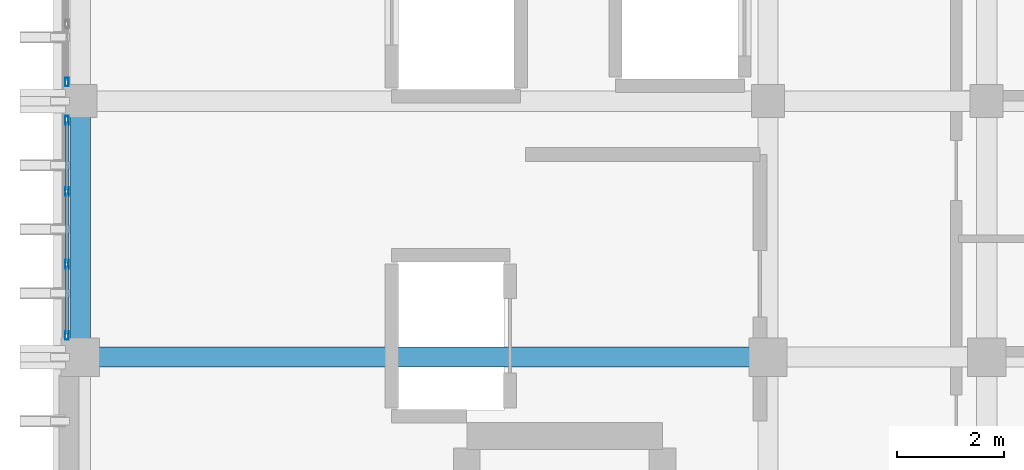
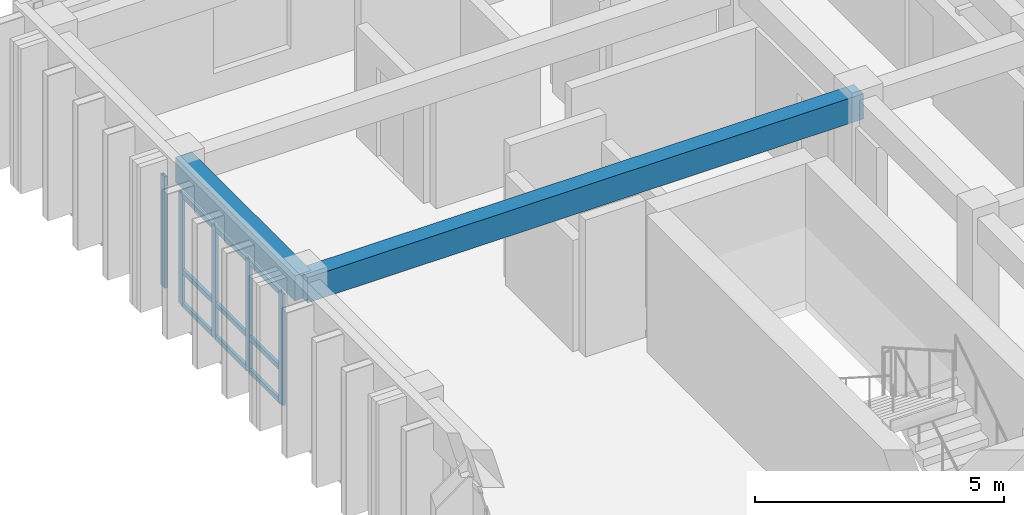
# One storey, part 36 of 59: 14 members, 2 beams, 2 elements without a shape of their own.
"""IFC4 building model written with IfcOpenShell, lengths in metres."""

from ifc_helpers import new_model, si_unit, direction, frame, origin, origin_2d, place, context, subcontext, project, spatial, rectangle, hollow_rectangle, extrude, material, layer, layer_set, material_profile, profile_set, type_object, element, aggregate, save


model = new_model("IFC4")

# Units and contexts
model_context = context("Model", 3, precision=1e-05, world=origin(), true_north=direction((0.0, 1.0)))
body_context = subcontext(model_context, "Body", "Model", "MODEL_VIEW")
ifc_project = project(units=[si_unit("LENGTHUNIT", "METRE"), si_unit("AREAUNIT", "SQUARE_METRE"), si_unit("VOLUMEUNIT", "CUBIC_METRE"), si_unit("PLANEANGLEUNIT", "RADIAN"), si_unit("MASSUNIT", "GRAM", prefix="KILO")], contexts=[model_context])

# Site, building, storey
site_placement = place(None, origin())
site = spatial("IfcSite", under=ifc_project, at=site_placement, CompositionType="ELEMENT")
building_placement = place(site_placement, origin())
building = spatial("IfcBuilding", under=site, at=building_placement, Name="Nakhvara Creek Congress Hotel", CompositionType="ELEMENT")
storey_placement = place(building_placement, frame((0.0, 0.0, 31.800048828125)))
storey = spatial("IfcBuildingStorey", under=building, at=storey_placement, Name="L07", CompositionType="ELEMENT", Elevation=31.800048828125)

# Beams
ifc_material_1 = material(Name="Concrete C40/50", Category="concrete")
ifc_material_profile_1 = material_profile(ifc_material_1, rectangle(XDim=0.3798828125, YDim=0.6201171875, at=origin_2d()), Name="RC-BM 380x620", Category="LoadBearing")
ifc_profile_set_1 = profile_set([ifc_material_profile_1], Name="Concrete C40/50")
beam_type = type_object("IfcBeamType", Name="BM-RC-380X620", PredefinedType="BEAM", material=ifc_profile_set_1)
beam_1_placement = place(storey_placement, frame((149.449951171875, 115.199951171875, 3.050048828125), z_axis=(1.0, 0.0, 0.0), x_axis=(0.0, 1.0, 0.0)))
element("IfcBeam", 1, at=beam_1_placement, inside=storey, type_object=beam_type, Name="Beam B10-L07-2336", PredefinedType="BEAM", context=body_context, shape_type="SweptSolid", body=[
    extrude(rectangle(XDim=0.3798828125, YDim=0.6201171875, at=origin_2d()), origin(), (0.0, 0.0, 1.0), 12.900146484375),
])
beam_2_placement = place(storey_placement, frame((149.449951171875, 115.199951171875, 3.050048828125), z_axis=(0.0, 1.0, 0.0), x_axis=(-1.0, 0.0, 0.0)))
element("IfcBeam", 2, at=beam_2_placement, inside=storey, type_object=beam_type, Name="Beam B10-L07-2338", PredefinedType="BEAM", context=body_context, shape_type="SweptSolid", body=[
    extrude(rectangle(XDim=0.3798828125, YDim=0.6201171875, at=origin_2d()), origin(), (0.0, 0.0, 1.0), 4.800048828125),
])

# Curtain wall, members
ifc_material_2 = material(Name="Bronze-anodised aluminium AW-6063-T6 and double-silver low-E glass", Category="aluminium")
ifc_layer = layer(ifc_material_2, 0.199951171875)
ifc_layer_set = layer_set([ifc_layer], Name="Bronze-anodised aluminium AW-6063-T6 and double-silver low-E glass")
curtain_wall_type = type_object("IfcCurtainWallType", Name="CW-HTL-UNIT", PredefinedType="USERDEFINED", material=ifc_layer_set)
curtain_wall_1_placement = place(storey_placement, origin())
curtain_wall_1 = element("IfcCurtainWall", 3, at=curtain_wall_1_placement, inside=storey, type_object=curtain_wall_type, Name="Curtain Wall CW272", ObjectType="UNITISED", PredefinedType="USERDEFINED")
ifc_material_3 = material(Name="Bronze-anodised aluminium AW-6063-T6", Category="aluminium")
ifc_material_profile_2 = material_profile(ifc_material_3, hollow_rectangle(XDim=0.06494140625, YDim=0.159912109375, WallThickness=0.00390625, at=origin_2d()), Name="ALU-MULL 65x160x4", Category="LoadBearing")
ifc_profile_set_2 = profile_set([ifc_material_profile_2], Name="Bronze-anodised aluminium AW-6063-T6")
member_type_1 = type_object("IfcMemberType", Name="CW-MULL-160", PredefinedType="MULLION", material=ifc_profile_set_2)
member_1_placement = place(storey_placement, frame((149.199951171875, 115.607421875, 0.0), z_axis=(0.0, 0.0, 1.0), x_axis=(-1.0, 0.0, 0.0)))
member_1 = element("IfcMember", 4, at=member_1_placement, type_object=member_type_1, Name="CW272 mullion 1", PredefinedType="MULLION", context=body_context, shape_type="SweptSolid", body=[
    extrude(hollow_rectangle(XDim=0.06494140625, YDim=0.159912109375, WallThickness=0.00390625, at=origin_2d()), origin(), (0.0, 0.0, 1.0), 2.73193359375),
])
member_2_placement = place(storey_placement, frame((149.199951171875, 116.941650390625, 0.0), z_axis=(0.0, 0.0, 1.0), x_axis=(-1.0, 0.0, 0.0)))
member_2 = element("IfcMember", 5, at=member_2_placement, type_object=member_type_1, Name="CW272 mullion 2", PredefinedType="MULLION", context=body_context, shape_type="SweptSolid", body=[
    extrude(hollow_rectangle(XDim=0.06494140625, YDim=0.159912109375, WallThickness=0.00390625, at=origin_2d()), origin(), (0.0, 0.0, 1.0), 2.73193359375),
])
member_3_placement = place(storey_placement, frame((149.199951171875, 118.308349609375, 0.0), z_axis=(0.0, 0.0, 1.0), x_axis=(-1.0, 0.0, 0.0)))
member_3 = element("IfcMember", 6, at=member_3_placement, type_object=member_type_1, Name="CW272 mullion 3", PredefinedType="MULLION", context=body_context, shape_type="SweptSolid", body=[
    extrude(hollow_rectangle(XDim=0.06494140625, YDim=0.159912109375, WallThickness=0.00390625, at=origin_2d()), origin(), (0.0, 0.0, 1.0), 2.73193359375),
])
member_4_placement = place(storey_placement, frame((149.199951171875, 119.642578125, 0.0), z_axis=(0.0, 0.0, 1.0), x_axis=(-1.0, 0.0, 0.0)))
member_4 = element("IfcMember", 7, at=member_4_placement, type_object=member_type_1, Name="CW272 mullion 4", PredefinedType="MULLION", context=body_context, shape_type="SweptSolid", body=[
    extrude(hollow_rectangle(XDim=0.06494140625, YDim=0.159912109375, WallThickness=0.00390625, at=origin_2d()), origin(), (0.0, 0.0, 1.0), 2.73193359375),
])

# Curtain wall, member
curtain_wall_2_placement = place(storey_placement, origin())
curtain_wall_2 = element("IfcCurtainWall", 8, at=curtain_wall_2_placement, inside=storey, type_object=curtain_wall_type, Name="Curtain Wall CW274", ObjectType="UNITISED", PredefinedType="USERDEFINED")
member_5_placement = place(storey_placement, frame((149.199951171875, 120.357421875, 0.0), z_axis=(0.0, 0.0, 1.0), x_axis=(-1.0, 0.0, 0.0)))
member_5 = element("IfcMember", 9, at=member_5_placement, type_object=member_type_1, Name="CW274 mullion 1", PredefinedType="MULLION", context=body_context, shape_type="SweptSolid", body=[
    extrude(hollow_rectangle(XDim=0.06494140625, YDim=0.159912109375, WallThickness=0.00390625, at=origin_2d()), origin(), (0.0, 0.0, 1.0), 2.73193359375),
])
aggregate(curtain_wall_2, [member_5])

# Member
ifc_material_profile_3 = material_profile(ifc_material_3, hollow_rectangle(XDim=0.06494140625, YDim=0.1201171875, WallThickness=0.00390625, at=origin_2d()), Name="ALU-TRAN 65x120x4", Category="LoadBearing")
ifc_profile_set_3 = profile_set([ifc_material_profile_3], Name="Bronze-anodised aluminium AW-6063-T6")
member_type_2 = type_object("IfcMemberType", Name="CW-TRAN-120", PredefinedType="USERDEFINED", material=ifc_profile_set_3)
member_6_placement = place(storey_placement, frame((149.199951171875, 115.639892578125, 0.032470703125), z_axis=(0.0, 1.0, 0.0), x_axis=(-1.0, 0.0, 0.0)))
member_6 = element("IfcMember", 10, at=member_6_placement, type_object=member_type_2, Name="CW272 transom 1.1", ObjectType="TRANSOM", PredefinedType="USERDEFINED", context=body_context, shape_type="SweptSolid", body=[
    extrude(hollow_rectangle(XDim=0.06494140625, YDim=0.1201171875, WallThickness=0.00390625, at=origin_2d()), origin(), (0.0, 0.0, 1.0), 1.269287109375),
])

member_7_placement = place(storey_placement, frame((149.199951171875, 115.639892578125, 0.849853515625), z_axis=(0.0, 1.0, 0.0), x_axis=(-1.0, 0.0, 0.0)))
member_7 = element("IfcMember", 11, at=member_7_placement, type_object=member_type_2, Name="CW272 transom 1.2", ObjectType="TRANSOM", PredefinedType="USERDEFINED", context=body_context, shape_type="SweptSolid", body=[
    extrude(hollow_rectangle(XDim=0.06494140625, YDim=0.1201171875, WallThickness=0.00390625, at=origin_2d()), origin(), (0.0, 0.0, 1.0), 1.269287109375),
])

member_8_placement = place(storey_placement, frame((149.199951171875, 115.639892578125, 2.699462890625), z_axis=(0.0, 1.0, 0.0), x_axis=(-1.0, 0.0, 0.0)))
member_8 = element("IfcMember", 12, at=member_8_placement, type_object=member_type_2, Name="CW272 transom 1.3", ObjectType="TRANSOM", PredefinedType="USERDEFINED", context=body_context, shape_type="SweptSolid", body=[
    extrude(hollow_rectangle(XDim=0.06494140625, YDim=0.1201171875, WallThickness=0.00390625, at=origin_2d()), origin(), (0.0, 0.0, 1.0), 1.269287109375),
])

member_9_placement = place(storey_placement, frame((149.199951171875, 116.97412109375, 0.032470703125), z_axis=(0.0, 1.0, 0.0), x_axis=(-1.0, 0.0, 0.0)))
member_9 = element("IfcMember", 13, at=member_9_placement, type_object=member_type_2, Name="CW272 transom 2.1", ObjectType="TRANSOM", PredefinedType="USERDEFINED", context=body_context, shape_type="SweptSolid", body=[
    extrude(hollow_rectangle(XDim=0.06494140625, YDim=0.1201171875, WallThickness=0.00390625, at=origin_2d()), origin(), (0.0, 0.0, 1.0), 1.3017578125),
])

member_10_placement = place(storey_placement, frame((149.199951171875, 116.97412109375, 0.849853515625), z_axis=(0.0, 1.0, 0.0), x_axis=(-1.0, 0.0, 0.0)))
member_10 = element("IfcMember", 14, at=member_10_placement, type_object=member_type_2, Name="CW272 transom 2.2", ObjectType="TRANSOM", PredefinedType="USERDEFINED", context=body_context, shape_type="SweptSolid", body=[
    extrude(hollow_rectangle(XDim=0.06494140625, YDim=0.1201171875, WallThickness=0.00390625, at=origin_2d()), origin(), (0.0, 0.0, 1.0), 1.3017578125),
])

member_11_placement = place(storey_placement, frame((149.199951171875, 116.97412109375, 2.699462890625), z_axis=(0.0, 1.0, 0.0), x_axis=(-1.0, 0.0, 0.0)))
member_11 = element("IfcMember", 15, at=member_11_placement, type_object=member_type_2, Name="CW272 transom 2.3", ObjectType="TRANSOM", PredefinedType="USERDEFINED", context=body_context, shape_type="SweptSolid", body=[
    extrude(hollow_rectangle(XDim=0.06494140625, YDim=0.1201171875, WallThickness=0.00390625, at=origin_2d()), origin(), (0.0, 0.0, 1.0), 1.3017578125),
])

member_12_placement = place(storey_placement, frame((149.199951171875, 118.3408203125, 0.032470703125), z_axis=(0.0, 1.0, 0.0), x_axis=(-1.0, 0.0, 0.0)))
member_12 = element("IfcMember", 16, at=member_12_placement, type_object=member_type_2, Name="CW272 transom 3.1", ObjectType="TRANSOM", PredefinedType="USERDEFINED", context=body_context, shape_type="SweptSolid", body=[
    extrude(hollow_rectangle(XDim=0.06494140625, YDim=0.1201171875, WallThickness=0.00390625, at=origin_2d()), origin(), (0.0, 0.0, 1.0), 1.269287109375),
])

member_13_placement = place(storey_placement, frame((149.199951171875, 118.3408203125, 0.849853515625), z_axis=(0.0, 1.0, 0.0), x_axis=(-1.0, 0.0, 0.0)))
member_13 = element("IfcMember", 17, at=member_13_placement, type_object=member_type_2, Name="CW272 transom 3.2", ObjectType="TRANSOM", PredefinedType="USERDEFINED", context=body_context, shape_type="SweptSolid", body=[
    extrude(hollow_rectangle(XDim=0.06494140625, YDim=0.1201171875, WallThickness=0.00390625, at=origin_2d()), origin(), (0.0, 0.0, 1.0), 1.269287109375),
])

member_14_placement = place(storey_placement, frame((149.199951171875, 118.3408203125, 2.699462890625), z_axis=(0.0, 1.0, 0.0), x_axis=(-1.0, 0.0, 0.0)))
member_14 = element("IfcMember", 18, at=member_14_placement, type_object=member_type_2, Name="CW272 transom 3.3", ObjectType="TRANSOM", PredefinedType="USERDEFINED", context=body_context, shape_type="SweptSolid", body=[
    extrude(hollow_rectangle(XDim=0.06494140625, YDim=0.1201171875, WallThickness=0.00390625, at=origin_2d()), origin(), (0.0, 0.0, 1.0), 1.269287109375),
])

aggregate(curtain_wall_1, [member_1, member_2, member_3, member_4, member_6, member_7, member_8, member_9, member_10, member_11, member_12, member_13, member_14])

save(model, "model.ifc")
